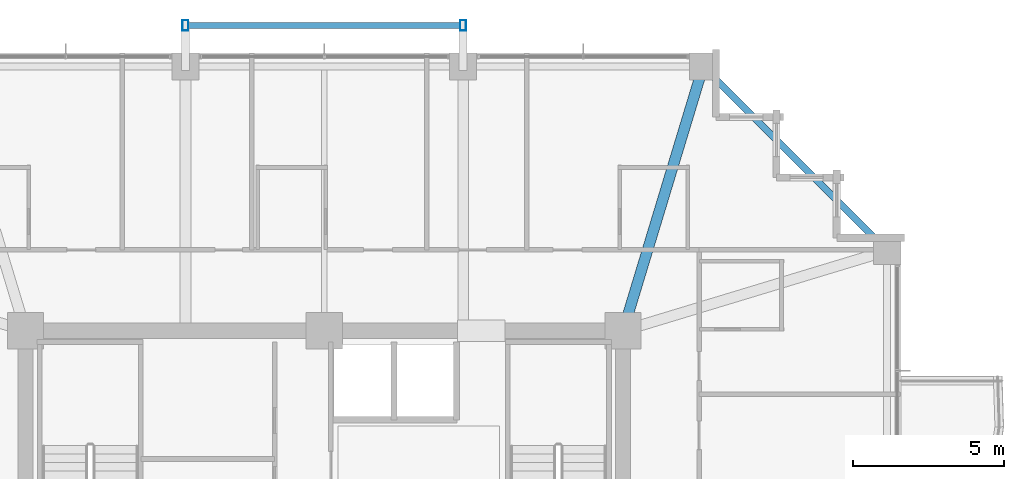
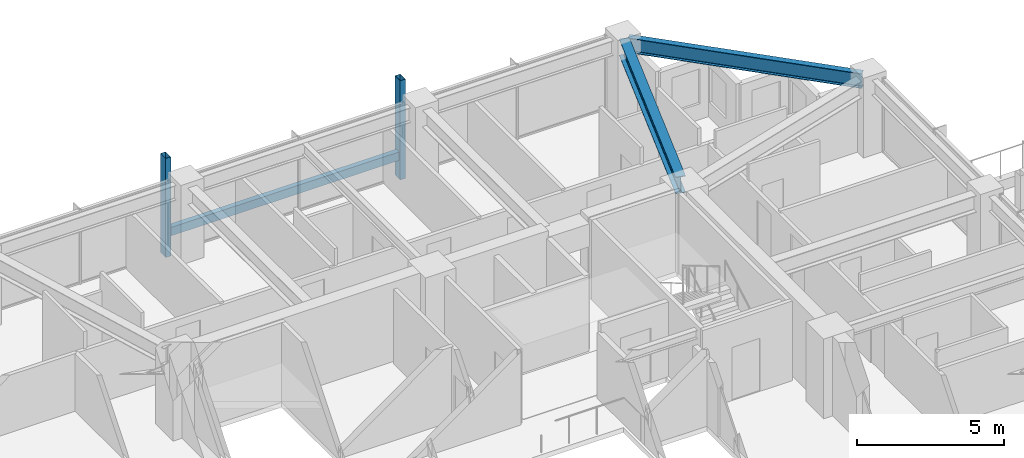
# One storey, part 23 of 37: 3 members, 2 beams.
"""IFC4 building model written with IfcOpenShell, lengths in metres."""

from ifc_helpers import new_model, si_unit, direction, frame, origin, origin_2d, place, context, subcontext, project, spatial, hollow_rectangle, i_section, extrude, material, material_profile, profile_set, type_object, element, save


model = new_model("IFC4")

# Units and contexts
model_context = context("Model", 3, precision=1e-05, world=origin(), true_north=direction((0.0, 1.0)))
body_context = subcontext(model_context, "Body", "Model", "MODEL_VIEW")
ifc_project = project(units=[si_unit("LENGTHUNIT", "METRE"), si_unit("AREAUNIT", "SQUARE_METRE"), si_unit("VOLUMEUNIT", "CUBIC_METRE"), si_unit("PLANEANGLEUNIT", "RADIAN"), si_unit("MASSUNIT", "GRAM", prefix="KILO")], contexts=[model_context])

# Site, building, storey
site_placement = place(None, origin())
site = spatial("IfcSite", under=ifc_project, at=site_placement, CompositionType="ELEMENT")
building_placement = place(site_placement, origin())
building = spatial("IfcBuilding", under=site, at=building_placement, Name="Kolvaren Belvedere", CompositionType="ELEMENT")
storey_placement = place(building_placement, frame((0.0, 0.0, 156.89990234375)))
storey = spatial("IfcBuildingStorey", under=building, at=storey_placement, Name="L45", CompositionType="ELEMENT", Elevation=156.89990234375)

# Beams
ifc_material_1 = material(Name="Structural steel ASTM A992 Grade 50", Category="steel")
ifc_material_profile_1 = material_profile(ifc_material_1, i_section(OverallWidth=0.35498046875, OverallDepth=0.696044921875, WebThickness=0.015380859375, FlangeThickness=0.02490234375, FilletRadius=0.02197265625, at=origin_2d()), Name="W27X146")
ifc_profile_set_1 = profile_set([ifc_material_profile_1], Name="Structural steel ASTM A992 Grade 50")
beam_type_1 = type_object("IfcBeamType", Name="BM-GIRD-W27X146", PredefinedType="BEAM", material=ifc_profile_set_1)
beam_1_placement = place(storey_placement, frame((10.059326171875, 10.426513671875, 2.752197265625), z_axis=(0.289865629086, 0.957067352423, 0.0), x_axis=(-0.957067352423, 0.289865629086, 0.0)))
element("IfcBeam", 1, at=beam_1_placement, inside=storey, type_object=beam_type_1, Name="L45 Corner Core-to-Perimeter Girder CC3-N4", PredefinedType="BEAM", context=body_context, shape_type="SweptSolid", body=[
    extrude(i_section(OverallWidth=0.35498046875, OverallDepth=0.696044921875, WebThickness=0.015380859375, FlangeThickness=0.02490234375, FilletRadius=0.02197265625, at=origin_2d()), origin(), (0.0, 0.0, 1.0), 8.412353515625),
])
ifc_material_2 = material(Name="Structural steel ASTM A992 Grade 50", Category="steel")
ifc_material_profile_2 = material_profile(ifc_material_2, i_section(OverallWidth=0.22900390625, OverallDepth=0.612060546875, WebThickness=0.011962890625, FlangeThickness=0.01953125, FilletRadius=0.01806640625, at=origin_2d()), Name="W24X84")
ifc_profile_set_2 = profile_set([ifc_material_profile_2], Name="Structural steel ASTM A992 Grade 50")
beam_type_2 = type_object("IfcBeamType", Name="BM-SPAN-W24X84", PredefinedType="SPANDREL", material=ifc_profile_set_2)
beam_2_placement = place(storey_placement, frame((18.5068359375, 12.693115234375, 2.794189453125), z_axis=(-0.707106781187, 0.707106781187, 0.0), x_axis=(-0.707106781187, -0.707106781187, 0.0)))
element("IfcBeam", 2, at=beam_2_placement, inside=storey, type_object=beam_type_2, Name="L45 Perimeter Spandrel E4-N4", PredefinedType="SPANDREL", context=body_context, shape_type="SweptSolid", body=[
    extrude(i_section(OverallWidth=0.22900390625, OverallDepth=0.612060546875, WebThickness=0.011962890625, FlangeThickness=0.01953125, FilletRadius=0.01806640625, at=origin_2d()), origin(), (0.0, 0.0, 1.0), 8.221923828125),
])

# Members
ifc_material_3 = material(Name="Anodised pale-metal aluminium AA 6063-T6", Category="aluminium")
ifc_material_profile_3 = material_profile(ifc_material_3, hollow_rectangle(XDim=0.199951171875, YDim=0.35009765625, WallThickness=0.007568359375, at=origin_2d()), Name="ALU-PF-350X200")
ifc_profile_set_3 = profile_set([ifc_material_profile_3], Name="Anodised pale-metal aluminium AA 6063-T6")
member_type = type_object("IfcMemberType", Name="PF-FRAME-350", PredefinedType="USERDEFINED", material=ifc_profile_set_3)
for number, where, z_axis, x_axis, name in (
    (3, (-4.60009765625, 20.02001953125, -0.809814453125), (0.0, 0.0, 1.0), (1.0, 0.0, 0.0), "L45 Outboard Picture-Frame Vertical N1"),
    (4, (4.60009765625, 20.02001953125, -0.809814453125), (0.0, 0.0, 1.0), (1.0, 0.0, 0.0), "L45 Outboard Picture-Frame Vertical N2"),
):
    element("IfcMember", number, at=place(storey_placement, frame(where, z_axis=z_axis, x_axis=x_axis)), inside=storey, type_object=member_type, Name=name, ObjectType="PICTURE FRAME FIN", PredefinedType="USERDEFINED", context=body_context, shape_type="SweptSolid", body=[
        extrude(hollow_rectangle(XDim=0.199951171875, YDim=0.35009765625, WallThickness=0.007568359375, at=origin_2d()), origin(), (0.0, 0.0, 1.0), 4.10986328125),
    ])
member_placement = place(storey_placement, frame((-4.60009765625, 20.02001953125, 0.130126953125), z_axis=(1.0, 0.0, 0.0), x_axis=(0.0, 1.0, 0.0)))
element("IfcMember", 5, at=member_placement, inside=storey, type_object=member_type, Name="L45 Outboard Picture-Frame Sill N", ObjectType="PICTURE FRAME FIN", PredefinedType="USERDEFINED", context=body_context, shape_type="SweptSolid", body=[
    extrude(hollow_rectangle(XDim=0.199951171875, YDim=0.35009765625, WallThickness=0.007568359375, at=origin_2d()), origin(), (0.0, 0.0, 1.0), 9.2001953125),
])

save(model, "model.ifc")
